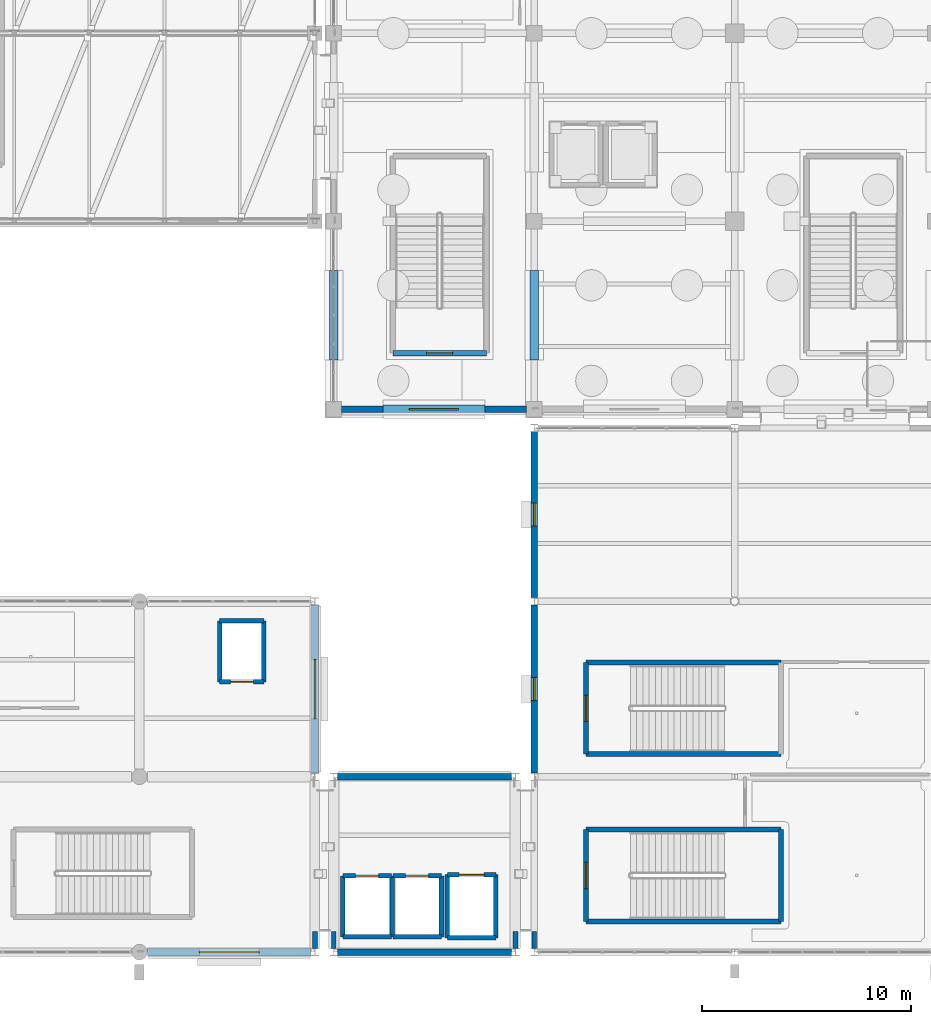
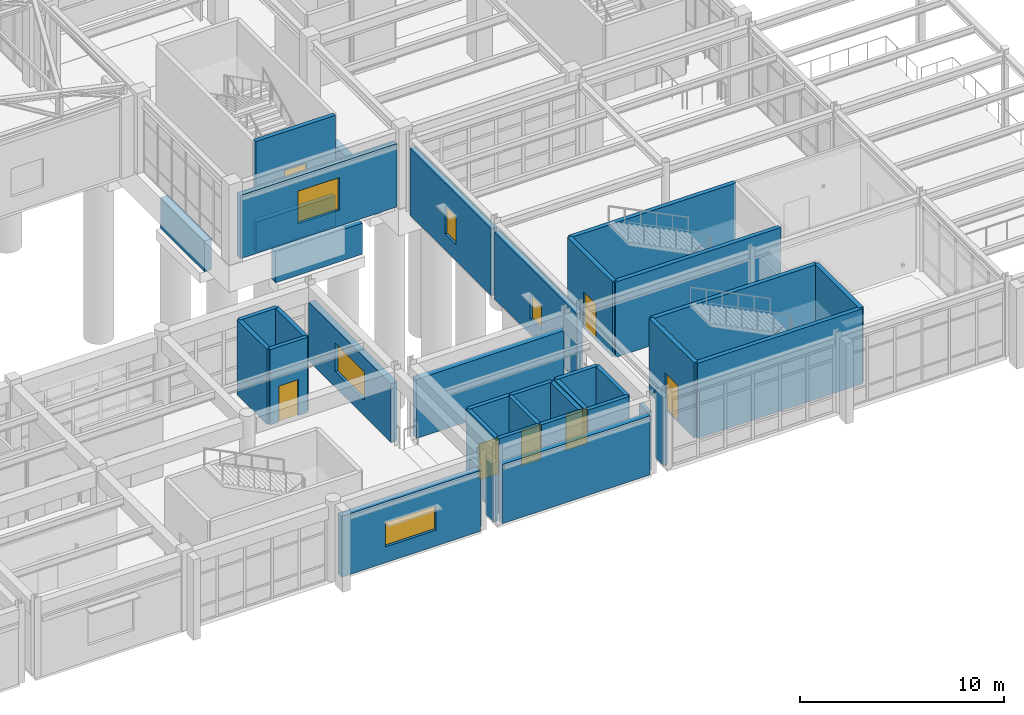
# One storey, part 111 of 139: 38 walls, 7 doors, 5 windows, 12 openings.
"""IFC4 building model written with IfcOpenShell, lengths in metres."""

import ifcopenshell
import ifcopenshell.guid

model = None  # the IFC model being written
_history = None  # IfcOwnerHistory: only IFC2X3 demands one
_inside = {}  # id of a spatial element -> (the spatial element, [elements in it])
_under = {}  # id of a project, library or spatial element -> (it, [spatial elements below it])
_declared = {}  # id of a project -> (the project, [libraries it declares])
_typed = {}  # id of a type object -> (the type object, [elements of that type])
_made_of = {}  # id of a material, layer set ... -> (it, [elements and type objects made of it])


def new_model(schema):
    """Start an empty IFC model of exactly this schema.

    Asked for "IFC4X3", IfcOpenShell would pick the latest addendum, in which some entities
    have other attributes; the version numbers below select the first issue.
    IFC2X3 requires an IfcOwnerHistory on every rooted entity: one is made here for all.
    """
    global model, _history
    if schema == "IFC4X3":
        model = ifcopenshell.file(schema_version=(4, 3, 0, 0))
    else:
        model = ifcopenshell.file(schema=schema)
    _inside.clear()
    _under.clear()
    _declared.clear()
    _typed.clear()
    _made_of.clear()
    _history = None
    if model.schema == "IFC2X3":
        org = make("IfcOrganization", Name="unknown")
        user = make(
            "IfcPersonAndOrganization",
            ThePerson=make("IfcPerson", FamilyName="unknown"),
            TheOrganization=org,
        )
        app = make(
            "IfcApplication",
            ApplicationDeveloper=org,
            Version="unknown",
            ApplicationFullName="unknown",
            ApplicationIdentifier="unknown",
        )
        _history = make(
            "IfcOwnerHistory",
            OwningUser=user,
            OwningApplication=app,
            ChangeAction="ADDED",
            CreationDate=0,
        )
    return model


def make(cls, **values):
    """One entity of the class cls with the attributes given. An attribute that is None is left unset."""
    return model.create_entity(
        cls, **{name: value for name, value in values.items() if value is not None}
    )


def rooted(cls, **values):
    """An entity with a GlobalId (a new one), such as an element, a storey or a relation."""
    return make(cls, GlobalId=ifcopenshell.guid.new(), OwnerHistory=_history, **values)


def si_unit(unit_type, name, prefix=None):
    """IfcSIUnit, for example si_unit("LENGTHUNIT", "METRE", prefix="MILLI")."""
    return make("IfcSIUnit", UnitType=unit_type, Prefix=prefix, Name=name)


def assignment(units):
    """IfcUnitAssignment: the units of a project."""
    return None if units is None else make("IfcUnitAssignment", Units=units)


def point(xyz):
    """IfcCartesianPoint."""
    return None if xyz is None else make("IfcCartesianPoint", Coordinates=xyz)


def direction(xyz):
    """IfcDirection."""
    return None if xyz is None else make("IfcDirection", DirectionRatios=xyz)


def frame(location, z_axis=None, x_axis=None):
    """IfcAxis2Placement3D, a coordinate frame: its origin and axes. An axis left out is left unset."""
    return make(
        "IfcAxis2Placement3D",
        Location=point(location),
        Axis=direction(z_axis),
        RefDirection=direction(x_axis),
    )


def frame_2d(location, x_axis=None):
    """IfcAxis2Placement2D, a coordinate frame in the plane: its origin and x axis."""
    return make(
        "IfcAxis2Placement2D", Location=point(location), RefDirection=direction(x_axis)
    )


def origin():
    """The frame at (0, 0, 0) with its axes left unset."""
    return frame((0.0, 0.0, 0.0))


def place(relative_to, where):
    """IfcLocalPlacement: puts the frame where relative to a parent placement (None: the world)."""
    return make(
        "IfcLocalPlacement", PlacementRelTo=relative_to, RelativePlacement=where
    )


def context(
    kind, dimensions, precision=None, world=None, true_north=None, identifier=None
):
    """IfcGeometricRepresentationContext, for example the 3D "Model" context."""
    return make(
        "IfcGeometricRepresentationContext",
        ContextIdentifier=identifier,
        ContextType=kind,
        CoordinateSpaceDimension=dimensions,
        Precision=precision,
        WorldCoordinateSystem=world,
        TrueNorth=true_north,
    )


def subcontext(parent, identifier, kind, view, scale=None):
    """IfcGeometricRepresentationSubContext, for example "Body" below "Model"."""
    return make(
        "IfcGeometricRepresentationSubContext",
        ContextIdentifier=identifier,
        ContextType=kind,
        ParentContext=parent,
        TargetScale=scale,
        TargetView=view,
    )


def project(units=None, contexts=None):
    """IfcProject with its units and contexts."""
    return rooted(
        "IfcProject",
        Name="project",
        RepresentationContexts=contexts,
        UnitsInContext=assignment(units),
    )


def spatial(cls, under=None, at=None, **own):
    """A site, building, storey or space (cls), placed at a placement, below another one or the project."""
    s = rooted(cls, ObjectPlacement=at, **own)
    if under is not None:
        _under.setdefault(under.id(), (under, []))[1].append(s)
    return s


def profile(cls, at=None, kind="AREA", **sizes):
    """A parametric profile (cls). Its sizes go by their IFC names, for example OverallWidth=200.0."""
    return make(cls, ProfileType=kind, Position=at, **sizes)


def rectangle(**sizes):
    """IfcRectangleProfileDef."""
    return profile("IfcRectangleProfileDef", **sizes)


def extrude(swept, where, along, depth):
    """IfcExtrudedAreaSolid: the profile swept, set in the frame where, extruded along a direction by depth."""
    return make(
        "IfcExtrudedAreaSolid",
        SweptArea=swept,
        Position=where,
        ExtrudedDirection=direction(along),
        Depth=depth,
    )


def shape(context_of_items, identifier, shape_type, items):
    """IfcShapeRepresentation: the items that make up one representation, for example the "Body"."""
    return make(
        "IfcShapeRepresentation",
        ContextOfItems=context_of_items,
        RepresentationIdentifier=identifier,
        RepresentationType=shape_type,
        Items=items,
    )


def material(Name=None, Category=None):
    """IfcMaterial."""
    return make("IfcMaterial", Name=Name, Category=Category)


def layer(
    of_material, thickness, ventilated=None, Name=None, Category=None, Priority=None
):
    """IfcMaterialLayer: one layer of a wall or slab, of a material (None: an air gap)."""
    return make(
        "IfcMaterialLayer",
        Material=of_material,
        LayerThickness=thickness,
        IsVentilated=ventilated,
        Name=Name,
        Category=Category,
        Priority=Priority,
    )


def layer_set(layers, Name=None):
    """IfcMaterialLayerSet."""
    return make("IfcMaterialLayerSet", MaterialLayers=layers, LayerSetName=Name)


def made_of(thing, what):
    """Note that an element or type object is made of a material, layer set ...; save() writes the relation."""
    if what is not None:
        _made_of.setdefault(what.id(), (what, []))[1].append(thing)
    return thing


def type_object(cls, material=None, **own):
    """A type object (cls), such as IfcWallType, which elements share."""
    return made_of(rooted(cls, **own), material)


def element(
    cls,
    number,
    at=None,
    inside=None,
    cuts=None,
    type_object=None,
    material=None,
    context=None,
    identifier="Body",
    shape_type=None,
    held_by="IfcProductDefinitionShape",
    body=None,
    shapes=None,
    **own,
):
    """One element of the class cls, such as IfcWall. Its Tag is "e" and its number.

    at: its placement. inside: the storey or other place that contains it. cuts: it is an
    opening in that element (IfcRelVoidsElement). A single representation is given by context,
    identifier, shape_type and body (its items); several are given by shapes. held_by: the class
    of the entity that holds the representations. save() writes the other relations.
    """
    e = rooted(cls, Tag="e%d" % number, ObjectPlacement=at, **own)
    if body is not None:
        shapes = [shape(context, identifier, shape_type, body)]
    if shapes is not None:
        e.Representation = make(held_by, Representations=shapes)
    if inside is not None:
        _inside.setdefault(inside.id(), (inside, []))[1].append(e)
    if cuts is not None:
        rooted(
            "IfcRelVoidsElement", RelatingBuildingElement=cuts, RelatedOpeningElement=e
        )
    if type_object is not None:
        _typed.setdefault(type_object.id(), (type_object, []))[1].append(e)
    return made_of(e, material)


def fill(opening, filler):
    """IfcRelFillsElement: the door or window that sits in an opening."""
    return rooted(
        "IfcRelFillsElement",
        RelatingOpeningElement=opening,
        RelatedBuildingElement=filler,
    )


def aggregate(whole, parts):
    """IfcRelAggregates: a whole, such as a stair, and the parts it consists of."""
    return rooted("IfcRelAggregates", RelatingObject=whole, RelatedObjects=parts)


def save(model, path):
    """Write the relations noted so far, then the file.

    IfcRelAggregates (storeys below a building ...), IfcRelContainedInSpatialStructure (elements
    in a storey), IfcRelDefinesByType, IfcRelAssociatesMaterial and IfcRelDeclares: one each for
    every whole, place, type object, material and project.
    """
    for whole, parts in _under.values():
        aggregate(whole, parts)
    for where, things in _inside.values():
        rooted(
            "IfcRelContainedInSpatialStructure",
            RelatedElements=things,
            RelatingStructure=where,
        )
    for kind, things in _typed.values():
        rooted("IfcRelDefinesByType", RelatedObjects=things, RelatingType=kind)
    for what, things in _made_of.values():
        rooted("IfcRelAssociatesMaterial", RelatedObjects=things, RelatingMaterial=what)
    for by, libraries in _declared.values():
        rooted("IfcRelDeclares", RelatingContext=by, RelatedDefinitions=libraries)
    model.write(path)


model = new_model("IFC4")

# Units and contexts
model_context = context("Model", 3, precision=1e-05, world=origin(), true_north=direction((0.0, 1.0)))
body_context = subcontext(model_context, "Body", "Model", "MODEL_VIEW")
ifc_project = project(units=[si_unit("LENGTHUNIT", "METRE"), si_unit("AREAUNIT", "SQUARE_METRE"), si_unit("VOLUMEUNIT", "CUBIC_METRE"), si_unit("PLANEANGLEUNIT", "RADIAN"), si_unit("MASSUNIT", "GRAM", prefix="KILO")], contexts=[model_context])

# Site, building, storey
site_placement = place(None, origin())
site = spatial("IfcSite", under=ifc_project, at=site_placement, CompositionType="ELEMENT")
building_placement = place(site_placement, origin())
building = spatial("IfcBuilding", under=site, at=building_placement, Name="Canglan Escarpment Cableway Terminal", CompositionType="ELEMENT")
storey_placement = place(building_placement, frame((0.0, 0.0, 14.39990234375)))
storey = spatial("IfcBuildingStorey", under=building, at=storey_placement, Name="L03", CompositionType="ELEMENT", Elevation=14.39990234375)

# Walls
ifc_material_1 = material(Name="Concrete C40", Category="concrete")
ifc_layer_1 = layer(ifc_material_1, 0.39990234375, Name="Concrete C40")
ifc_layer_set_1 = layer_set([ifc_layer_1], Name="Concrete C40")
wall_type_1 = type_object("IfcWallType", Name="WL-BENCH-SOLID-400", PredefinedType="SOLIDWALL", material=ifc_layer_set_1)
wall_1_placement = place(storey_placement, frame((139.949951171875, 34.0, -2.099853515625), z_axis=(0.0, 0.0, 1.0), x_axis=(1.0, 0.0, 0.0)))
element("IfcWall", 1, at=wall_1_placement, inside=storey, type_object=wall_type_1, Name="Hillside bench foundation wall BWALL-X-FB9-1-1", PredefinedType="SOLIDWALL", context=body_context, shape_type="SweptSolid", body=[
    extrude(rectangle(XDim=4.900146484375, YDim=0.39990234375, at=frame_2d((2.4501953125, 0.0))), origin(), (0.0, 0.0, 1.0), 1.849853515625),
])
for number, where, z_axis, x_axis, name in (
    (2, (137.60009765625, 36.35009765625, -2.099853515625), (0.0, 0.0, 1.0), (0.0, 1.0, 0.0), "Hillside bench transverse foundation wall BWALL-Y-FB9-1-1"),
    (3, (147.199951171875, 36.35009765625, -2.099853515625), (0.0, 0.0, 1.0), (0.0, 1.0, 0.0), "Hillside bench transverse foundation wall BWALL-Y-FB9-2-1"),
):
    element("IfcWall", number, at=place(storey_placement, frame(where, z_axis=z_axis, x_axis=x_axis)), inside=storey, type_object=wall_type_1, Name=name, PredefinedType="SOLIDWALL", context=body_context, shape_type="SweptSolid", body=[
        extrude(rectangle(XDim=4.2998046875, YDim=0.39990234375, at=frame_2d((2.14990234375, 0.0))), origin(), (0.0, 0.0, 1.0), 1.849853515625),
    ])
wall_2_placement = place(storey_placement, frame((140.429931640625, 36.679931640625, -2.099853515625), z_axis=(0.0, 0.0, 1.0), x_axis=(1.0, 0.0, 0.0)))
element("IfcWall", 4, at=wall_2_placement, inside=storey, type_object=wall_type_1, Name="Stair core foundation wall ST-13", PredefinedType="SOLIDWALL", context=body_context, shape_type="SweptSolid", body=[
    extrude(rectangle(XDim=4.489990234375, YDim=0.280029296875, at=frame_2d((2.2451171875, 0.0))), origin(), (0.0, 0.0, 1.0), 1.800048828125),
])
ifc_layer_2 = layer(ifc_material_1, 0.239990234375, Name="Concrete C40")
ifc_layer_set_2 = layer_set([ifc_layer_2], Name="Concrete C40")
wall_type_2 = type_object("IfcWallType", Name="WL-CORE-SHEAR-240", PredefinedType="SHEAR", material=ifc_layer_set_2)
wall_3_placement = place(storey_placement, frame((149.679931640625, 9.47998046875, 0.0), z_axis=(0.0, 0.0, 1.0), x_axis=(1.0, 0.0, 0.0)))
element("IfcWall", 5, at=wall_3_placement, inside=storey, type_object=wall_type_2, Name="Protected stair core wall ST-08 (L03)", PredefinedType="SHEAR", context=body_context, shape_type="SweptSolid", body=[
    extrude(rectangle(XDim=9.340087890625, YDim=0.239990234375, at=frame_2d((4.669921875, 0.0))), origin(), (0.0, 0.0, 1.0), 4.5),
])
wall_4_placement = place(storey_placement, frame((159.02001953125, 9.47998046875, 0.0), z_axis=(0.0, 0.0, 1.0), x_axis=(0.0, 1.0, 0.0)))
element("IfcWall", 6, at=wall_4_placement, inside=storey, type_object=wall_type_2, Name="Protected stair core wall ST-08 (L03)", PredefinedType="SHEAR", context=body_context, shape_type="SweptSolid", body=[
    extrude(rectangle(XDim=4.39013671875, YDim=0.239990234375, at=frame_2d((2.195068359375, 0.0))), origin(), (0.0, 0.0, 1.0), 4.5),
])
wall_5_placement = place(storey_placement, frame((159.02001953125, 13.8701171875, 0.0), z_axis=(0.0, 0.0, 1.0), x_axis=(-1.0, 0.0, 0.0)))
element("IfcWall", 7, at=wall_5_placement, inside=storey, type_object=wall_type_2, Name="Protected stair core wall ST-08 (L03)", PredefinedType="SHEAR", context=body_context, shape_type="SweptSolid", body=[
    extrude(rectangle(XDim=9.340087890625, YDim=0.239990234375, at=frame_2d((4.669921875, 0.0))), origin(), (0.0, 0.0, 1.0), 4.5),
])

# Wall, opening, door
wall_6_placement = place(storey_placement, frame((149.679931640625, 13.8701171875, 0.0), z_axis=(0.0, 0.0, 1.0), x_axis=(0.0, -1.0, 0.0)))
wall_6 = element("IfcWall", 8, at=wall_6_placement, inside=storey, type_object=wall_type_2, Name="Protected stair core wall ST-08 (L03)", PredefinedType="SHEAR", context=body_context, shape_type="SweptSolid", body=[
    extrude(rectangle(XDim=4.39013671875, YDim=0.239990234375, at=frame_2d((2.195068359375, 0.0))), origin(), (0.0, 0.0, 1.0), 4.5),
])
opening_1_placement = place(wall_6_placement, frame((1.570068359375, 0.0, 0.0)))
opening_1 = element("IfcOpeningElement", 9, at=opening_1_placement, cuts=wall_6, Name="Opening SD-D1", PredefinedType="OPENING", context=body_context, shape_type="SweptSolid", body=[
    extrude(rectangle(XDim=1.25, YDim=2.199951171875, at=frame_2d((0.625, 1.10009765625))), frame((0.0, 0.1298828125, 0.0), z_axis=(0.0, -1.0, 0.0), x_axis=(1.0, 0.0, 0.0)), (0.0, 0.0, 1.0), 0.260009765625),
])
ifc_material_2 = material(Name="Steel fire-resisting stair door", Category="steel")
door_type_1 = type_object("IfcDoorType", Name="DR-STAIR-EI90-1250", OperationType="NOTDEFINED", PredefinedType="DOOR", material=ifc_material_2)
door_1_placement = place(opening_1_placement, origin())
door_1 = element("IfcDoor", 10, at=door_1_placement, inside=storey, type_object=door_type_1, Name="Protected exit stair fire door ST-08 (L03)", OperationType="SINGLE_SWING_RIGHT", OverallHeight=2.199951171875, OverallWidth=1.25, PredefinedType="DOOR", context=body_context, shape_type="SweptSolid", body=[
    extrude(rectangle(XDim=1.25, YDim=2.199951171875, at=frame_2d((0.625, 1.10009765625))), frame((0.0, 0.02490234375, 0.0), z_axis=(0.0, -1.0, 0.0), x_axis=(1.0, 0.0, 0.0)), (0.0, 0.0, 1.0), 0.050048828125),
])
fill(opening_1, door_1)

# Walls
for number, where, z_axis, x_axis, name in (
    (11, (149.679931640625, 17.47998046875, 0.0), (0.0, 0.0, 1.0), (1.0, 0.0, 0.0), "Protected stair core wall ST-09 (L03)"),
    (12, (159.02001953125, 21.8701171875, 0.0), (0.0, 0.0, 1.0), (-1.0, 0.0, 0.0), "Protected stair core wall ST-09 (L03)"),
):
    element("IfcWall", number, at=place(storey_placement, frame(where, z_axis=z_axis, x_axis=x_axis)), inside=storey, type_object=wall_type_2, Name=name, PredefinedType="SHEAR", context=body_context, shape_type="SweptSolid", body=[
        extrude(rectangle(XDim=9.340087890625, YDim=0.239990234375, at=frame_2d((4.669921875, 0.0))), origin(), (0.0, 0.0, 1.0), 4.5),
    ])

# Wall, opening, door
wall_7_placement = place(storey_placement, frame((149.679931640625, 21.8701171875, 0.0), z_axis=(0.0, 0.0, 1.0), x_axis=(0.0, -1.0, 0.0)))
wall_7 = element("IfcWall", 13, at=wall_7_placement, inside=storey, type_object=wall_type_2, Name="Protected stair core wall ST-09 (L03)", PredefinedType="SHEAR", context=body_context, shape_type="SweptSolid", body=[
    extrude(rectangle(XDim=4.39013671875, YDim=0.239990234375, at=frame_2d((2.195068359375, 0.0))), origin(), (0.0, 0.0, 1.0), 4.5),
])
opening_2_placement = place(wall_7_placement, frame((1.570068359375, 0.0, 0.0)))
opening_2 = element("IfcOpeningElement", 14, at=opening_2_placement, cuts=wall_7, Name="Opening SD-D1", PredefinedType="OPENING", context=body_context, shape_type="SweptSolid", body=[
    extrude(rectangle(XDim=1.25, YDim=2.199951171875, at=frame_2d((0.625, 1.10009765625))), frame((0.0, 0.1298828125, 0.0), z_axis=(0.0, -1.0, 0.0), x_axis=(1.0, 0.0, 0.0)), (0.0, 0.0, 1.0), 0.260009765625),
])
door_2_placement = place(opening_2_placement, origin())
door_2 = element("IfcDoor", 15, at=door_2_placement, inside=storey, type_object=door_type_1, Name="Protected exit stair fire door ST-09 (L03)", OperationType="SINGLE_SWING_LEFT", OverallHeight=2.199951171875, OverallWidth=1.25, PredefinedType="DOOR", context=body_context, shape_type="SweptSolid", body=[
    extrude(rectangle(XDim=1.25, YDim=2.199951171875, at=frame_2d((0.625, 1.10009765625))), frame((0.0, 0.02490234375, 0.0), z_axis=(0.0, -1.0, 0.0), x_axis=(1.0, 0.0, 0.0)), (0.0, 0.0, 1.0), 0.050048828125),
])
fill(opening_2, door_2)

wall_8_placement = place(storey_placement, frame((140.429931640625, 36.679931640625, 0.0), z_axis=(0.0, 0.0, 1.0), x_axis=(1.0, 0.0, 0.0)))
wall_8 = element("IfcWall", 16, at=wall_8_placement, inside=storey, type_object=wall_type_2, Name="Protected stair core wall ST-13 (L03)", PredefinedType="SHEAR", context=body_context, shape_type="SweptSolid", body=[
    extrude(rectangle(XDim=4.489990234375, YDim=0.239990234375, at=frame_2d((2.2451171875, 0.0))), origin(), (0.0, 0.0, 1.0), 4.5),
])
opening_3_placement = place(wall_8_placement, frame((1.6201171875, 0.0, 0.0)))
opening_3 = element("IfcOpeningElement", 17, at=opening_3_placement, cuts=wall_8, Name="Opening SD-D1", PredefinedType="OPENING", context=body_context, shape_type="SweptSolid", body=[
    extrude(rectangle(XDim=1.25, YDim=2.199951171875, at=frame_2d((0.625, 1.10009765625))), frame((0.0, 0.1298828125, 0.0), z_axis=(0.0, -1.0, 0.0), x_axis=(1.0, 0.0, 0.0)), (0.0, 0.0, 1.0), 0.260009765625),
])
door_3_placement = place(opening_3_placement, origin())
door_3 = element("IfcDoor", 18, at=door_3_placement, inside=storey, type_object=door_type_1, Name="Protected exit stair fire door ST-13 (L03)", OperationType="SINGLE_SWING_RIGHT", OverallHeight=2.199951171875, OverallWidth=1.25, PredefinedType="DOOR", context=body_context, shape_type="SweptSolid", body=[
    extrude(rectangle(XDim=1.25, YDim=2.199951171875, at=frame_2d((0.625, 1.10009765625))), frame((0.0, 0.02490234375, 0.0), z_axis=(0.0, -1.0, 0.0), x_axis=(1.0, 0.0, 0.0)), (0.0, 0.0, 1.0), 0.050048828125),
])
fill(opening_3, door_3)

# Walls
ifc_material_3 = material(Name="Dressed ashlar limestone on Concrete C40", Category="masonry")
ifc_layer_3 = layer(ifc_material_3, 0.320068359375, Name="Dressed ashlar limestone on Concrete C40")
ifc_layer_set_3 = layer_set([ifc_layer_3], Name="Dressed ashlar limestone on Concrete C40")
wall_type_3 = type_object("IfcWallType", Name="WL-EXT-ASHLAR-320", PredefinedType="STANDARD", material=ifc_layer_set_3)
for number, where, z_axis, x_axis, name in (
    (19, (137.77490234375, 8.0, 0.0), (0.0, 0.0, 1.0), (1.0, 0.0, 0.0), "Classical stone-faced exterior wall EW-FB5A-L03-S-01"),
    (20, (146.125, 16.39990234375, 0.0), (0.0, 0.0, 1.0), (-1.0, 0.0, 0.0), "Classical stone-faced exterior wall EW-FB5A-L03-N-01"),
):
    element("IfcWall", number, at=place(storey_placement, frame(where, z_axis=z_axis, x_axis=x_axis)), inside=storey, type_object=wall_type_3, Name=name, PredefinedType="STANDARD", context=body_context, shape_type="SweptSolid", body=[
        extrude(rectangle(XDim=8.35009765625, YDim=0.320068359375, at=frame_2d((4.175048828125, 0.0))), origin(), (0.0, 0.0, 1.0), 3.53515625),
    ])

# Wall, opening, window
wall_9_placement = place(storey_placement, frame((147.199951171875, 24.625, 0.0), z_axis=(0.0, 0.0, 1.0), x_axis=(0.0, -1.0, 0.0)))
wall_9 = element("IfcWall", 21, at=wall_9_placement, inside=storey, type_object=wall_type_3, Name="Classical stone-faced exterior wall EW-FB5-L03-W-02", PredefinedType="STANDARD", context=body_context, shape_type="SweptSolid", body=[
    extrude(rectangle(XDim=8.050048828125, YDim=0.320068359375, at=frame_2d((4.02490234375, 0.0))), origin(), (0.0, 0.0, 1.0), 3.9970703125),
])
opening_4_placement = place(wall_9_placement, frame((3.47509765625, 0.0, 0.949951171875)))
opening_4 = element("IfcOpeningElement", 22, at=opening_4_placement, cuts=wall_9, Name="Opening W-01", PredefinedType="OPENING", context=body_context, shape_type="SweptSolid", body=[
    extrude(rectangle(XDim=1.10009765625, YDim=1.449951171875, at=frame_2d((0.550048828125, 0.72509765625))), frame((0.0, 0.169921875, 0.0), z_axis=(0.0, -1.0, 0.0), x_axis=(1.0, 0.0, 0.0)), (0.0, 0.0, 1.0), 0.340087890625),
])
ifc_material_4 = material(Name="Anodized bronze aluminium and Low-E double glazing", Category="aluminium")
window_type_1 = type_object("IfcWindowType", Name="WIN-EXT-01", PartitioningType="SINGLE_PANEL", PredefinedType="WINDOW", material=ifc_material_4)
window_1_placement = place(opening_4_placement, origin())
window_1 = element("IfcWindow", 23, at=window_1_placement, inside=storey, type_object=window_type_1, Name="Classical module window W-01", OverallHeight=1.449951171875, OverallWidth=1.10009765625, PartitioningType="SINGLE_PANEL", PredefinedType="WINDOW", context=body_context, shape_type="SweptSolid", body=[
    extrude(rectangle(XDim=1.10009765625, YDim=1.449951171875, at=frame_2d((0.550048828125, 0.72509765625))), frame((0.0, 0.030029296875, 0.0), z_axis=(0.0, -1.0, 0.0), x_axis=(1.0, 0.0, 0.0)), (0.0, 0.0, 1.0), 0.06005859375),
])
fill(opening_4, window_1)

wall_10_placement = place(storey_placement, frame((147.199951171875, 32.925048828125, 0.0), z_axis=(0.0, 0.0, 1.0), x_axis=(0.0, -1.0, 0.0)))
wall_10 = element("IfcWall", 24, at=wall_10_placement, inside=storey, type_object=wall_type_3, Name="Classical stone-faced exterior wall EW-FB5-L03-W-03", PredefinedType="STANDARD", context=body_context, shape_type="SweptSolid", body=[
    extrude(rectangle(XDim=7.949951171875, YDim=0.320068359375, at=frame_2d((3.97509765625, 0.0))), origin(), (0.0, 0.0, 1.0), 3.9970703125),
])
opening_5_placement = place(wall_10_placement, frame((3.425048828125, 0.0, 0.949951171875)))
opening_5 = element("IfcOpeningElement", 25, at=opening_5_placement, cuts=wall_10, Name="Opening W-02", PredefinedType="OPENING", context=body_context, shape_type="SweptSolid", body=[
    extrude(rectangle(XDim=1.10009765625, YDim=1.699951171875, at=frame_2d((0.550048828125, 0.85009765625))), frame((0.0, 0.169921875, 0.0), z_axis=(0.0, -1.0, 0.0), x_axis=(1.0, 0.0, 0.0)), (0.0, 0.0, 1.0), 0.340087890625),
])
window_type_2 = type_object("IfcWindowType", Name="WIN-EXT-02", PartitioningType="SINGLE_PANEL", PredefinedType="WINDOW", material=ifc_material_4)
window_2_placement = place(opening_5_placement, origin())
window_2 = element("IfcWindow", 26, at=window_2_placement, inside=storey, type_object=window_type_2, Name="Classical module window W-02", OverallHeight=1.699951171875, OverallWidth=1.10009765625, PartitioningType="SINGLE_PANEL", PredefinedType="WINDOW", context=body_context, shape_type="SweptSolid", body=[
    extrude(rectangle(XDim=1.10009765625, YDim=1.699951171875, at=frame_2d((0.550048828125, 0.85009765625))), frame((0.0, 0.030029296875, 0.0), z_axis=(0.0, -1.0, 0.0), x_axis=(1.0, 0.0, 0.0)), (0.0, 0.0, 1.0), 0.06005859375),
])
fill(opening_5, window_2)

wall_11_placement = place(storey_placement, frame((137.97509765625, 34.0, 0.0), z_axis=(0.0, 0.0, 1.0), x_axis=(1.0, 0.0, 0.0)))
wall_11 = element("IfcWall", 27, at=wall_11_placement, inside=storey, type_object=wall_type_3, Name="Classical stone-faced exterior wall EW-FB9-L03-S-01", PredefinedType="STANDARD", context=body_context, shape_type="SweptSolid", body=[
    extrude(rectangle(XDim=8.849853515625, YDim=0.320068359375, at=frame_2d((4.4248046875, 0.0))), origin(), (0.0, 0.0, 1.0), 3.78515625),
])
opening_6_placement = place(wall_11_placement, frame((3.25, 0.0, 0.949951171875)))
opening_6 = element("IfcOpeningElement", 28, at=opening_6_placement, cuts=wall_11, Name="Opening W-23", PredefinedType="OPENING", context=body_context, shape_type="SweptSolid", body=[
    extrude(rectangle(XDim=2.35009765625, YDim=1.949951171875, at=frame_2d((1.175048828125, 0.97509765625))), frame((0.0, 0.169921875, 0.0), z_axis=(0.0, -1.0, 0.0), x_axis=(1.0, 0.0, 0.0)), (0.0, 0.0, 1.0), 0.340087890625),
])
window_type_3 = type_object("IfcWindowType", Name="WIN-EXT-23", PartitioningType="DOUBLE_PANEL_VERTICAL", PredefinedType="WINDOW", material=ifc_material_4)
window_3_placement = place(opening_6_placement, origin())
window_3 = element("IfcWindow", 29, at=window_3_placement, inside=storey, type_object=window_type_3, Name="Classical module window W-23", OverallHeight=1.949951171875, OverallWidth=2.35009765625, PartitioningType="SINGLE_PANEL", PredefinedType="WINDOW", context=body_context, shape_type="SweptSolid", body=[
    extrude(rectangle(XDim=2.35009765625, YDim=1.949951171875, at=frame_2d((1.175048828125, 0.97509765625))), frame((0.0, 0.030029296875, 0.0), z_axis=(0.0, -1.0, 0.0), x_axis=(1.0, 0.0, 0.0)), (0.0, 0.0, 1.0), 0.06005859375),
])
fill(opening_6, window_3)

# Walls
ifc_material_5 = material(Name="Insulated stone-faced spandrel wall", Category="masonry")
ifc_layer_4 = layer(ifc_material_5, 0.22998046875, Name="Insulated stone-faced spandrel wall")
ifc_layer_set_4 = layer_set([ifc_layer_4], Name="Insulated stone-faced spandrel wall")
wall_type_4 = type_object("IfcWallType", Name="WL-EXT-LINK-230", PredefinedType="STANDARD", material=ifc_layer_set_4)
wall_12_placement = place(storey_placement, frame((136.699951171875, 8.175048828125, 0.0), z_axis=(0.0, 0.0, 1.0), x_axis=(0.0, 1.0, 0.0)))
element("IfcWall", 30, at=wall_12_placement, inside=storey, type_object=wall_type_4, Name="Classical stone-faced exterior wall EW-FB4-L03-E-01-FL1", PredefinedType="STANDARD", context=body_context, shape_type="SweptSolid", body=[
    extrude(rectangle(XDim=0.824951171875, YDim=0.22998046875, at=frame_2d((0.41259765625, 0.0))), origin(), (0.0, 0.0, 1.0), 3.635009765625),
])
for number, where, z_axis, x_axis, name in (
    (31, (146.300048828125, 8.175048828125, 0.0), (0.0, 0.0, 1.0), (0.0, 1.0, 0.0), "Classical stone-faced exterior wall EW-FB5A-L03-E-01-FL1"),
    (32, (137.60009765625, 8.175048828125, 0.0), (0.0, 0.0, 1.0), (0.0, 1.0, 0.0), "Classical stone-faced exterior wall EW-FB5A-L03-W-01-FL1"),
):
    element("IfcWall", number, at=place(storey_placement, frame(where, z_axis=z_axis, x_axis=x_axis)), inside=storey, type_object=wall_type_4, Name=name, PredefinedType="STANDARD", context=body_context, shape_type="SweptSolid", body=[
        extrude(rectangle(XDim=0.824951171875, YDim=0.22998046875, at=frame_2d((0.41259765625, 0.0))), origin(), (0.0, 0.0, 1.0), 3.53515625),
    ])
wall_13_placement = place(storey_placement, frame((147.199951171875, 8.175048828125, 0.0), z_axis=(0.0, 0.0, 1.0), x_axis=(0.0, 1.0, 0.0)))
element("IfcWall", 33, at=wall_13_placement, inside=storey, type_object=wall_type_4, Name="Classical stone-faced exterior wall EW-FB5-L03-W-01-FL1", PredefinedType="STANDARD", context=body_context, shape_type="SweptSolid", body=[
    extrude(rectangle(XDim=0.824951171875, YDim=0.22998046875, at=frame_2d((0.41259765625, 0.0))), origin(), (0.0, 0.0, 1.0), 4.09521484375),
])

# Wall, opening, window
ifc_material_6 = material(Name="Rusticated limestone masonry on Concrete C40", Category="masonry")
ifc_layer_5 = layer(ifc_material_6, 0.360107421875, Name="Rusticated limestone masonry on Concrete C40")
ifc_layer_set_5 = layer_set([ifc_layer_5], Name="Rusticated limestone masonry on Concrete C40")
wall_type_5 = type_object("IfcWallType", Name="WL-EXT-RUST-360", PredefinedType="STANDARD", material=ifc_layer_set_5)
wall_14_placement = place(storey_placement, frame((128.675048828125, 8.0, 0.0), z_axis=(0.0, 0.0, 1.0), x_axis=(1.0, 0.0, 0.0)))
wall_14 = element("IfcWall", 34, at=wall_14_placement, inside=storey, type_object=wall_type_5, Name="Classical stone-faced exterior wall EW-FB4-L03-S-03", PredefinedType="STANDARD", context=body_context, shape_type="SweptSolid", body=[
    extrude(rectangle(XDim=7.849853515625, YDim=0.360107421875, at=frame_2d((3.9248046875, 0.0))), origin(), (0.0, 0.0, 1.0), 3.635009765625),
])
opening_7_placement = place(wall_14_placement, frame((2.5, 0.0, 0.949951171875)))
opening_7 = element("IfcOpeningElement", 35, at=opening_7_placement, cuts=wall_14, Name="Opening W-29", PredefinedType="OPENING", context=body_context, shape_type="SweptSolid", body=[
    extrude(rectangle(XDim=2.85009765625, YDim=1.449951171875, at=frame_2d((1.425048828125, 0.72509765625))), frame((0.0, 0.18994140625, 0.0), z_axis=(0.0, -1.0, 0.0), x_axis=(1.0, 0.0, 0.0)), (0.0, 0.0, 1.0), 0.380126953125),
])
window_type_4 = type_object("IfcWindowType", Name="WIN-EXT-29", PartitioningType="DOUBLE_PANEL_VERTICAL", PredefinedType="WINDOW", material=ifc_material_4)
window_4_placement = place(opening_7_placement, origin())
window_4 = element("IfcWindow", 36, at=window_4_placement, inside=storey, type_object=window_type_4, Name="Classical module window W-29", OverallHeight=1.449951171875, OverallWidth=2.85009765625, PartitioningType="SINGLE_PANEL", PredefinedType="WINDOW", context=body_context, shape_type="SweptSolid", body=[
    extrude(rectangle(XDim=2.85009765625, YDim=1.449951171875, at=frame_2d((1.425048828125, 0.72509765625))), frame((0.0, 0.030029296875, 0.0), z_axis=(0.0, -1.0, 0.0), x_axis=(1.0, 0.0, 0.0)), (0.0, 0.0, 1.0), 0.06005859375),
])
fill(opening_7, window_4)

wall_15_placement = place(storey_placement, frame((136.699951171875, 16.574951171875, 0.0), z_axis=(0.0, 0.0, 1.0), x_axis=(0.0, 1.0, 0.0)))
wall_15 = element("IfcWall", 37, at=wall_15_placement, inside=storey, type_object=wall_type_5, Name="Classical stone-faced exterior wall EW-FB4-L03-E-02", PredefinedType="STANDARD", context=body_context, shape_type="SweptSolid", body=[
    extrude(rectangle(XDim=8.050048828125, YDim=0.360107421875, at=frame_2d((4.02490234375, 0.0))), origin(), (0.0, 0.0, 1.0), 3.51513671875),
])
opening_8_placement = place(wall_15_placement, frame((2.60009765625, 0.0, 0.949951171875)))
opening_8 = element("IfcOpeningElement", 38, at=opening_8_placement, cuts=wall_15, Name="Opening W-30", PredefinedType="OPENING", context=body_context, shape_type="SweptSolid", body=[
    extrude(rectangle(XDim=2.85009765625, YDim=1.699951171875, at=frame_2d((1.425048828125, 0.85009765625))), frame((0.0, 0.18994140625, 0.0), z_axis=(0.0, -1.0, 0.0), x_axis=(1.0, 0.0, 0.0)), (0.0, 0.0, 1.0), 0.380126953125),
])
window_type_5 = type_object("IfcWindowType", Name="WIN-EXT-30", PartitioningType="DOUBLE_PANEL_VERTICAL", PredefinedType="WINDOW", material=ifc_material_4)
window_5_placement = place(opening_8_placement, origin())
window_5 = element("IfcWindow", 39, at=window_5_placement, inside=storey, type_object=window_type_5, Name="Classical module window W-30", OverallHeight=1.699951171875, OverallWidth=2.85009765625, PartitioningType="SINGLE_PANEL", PredefinedType="WINDOW", context=body_context, shape_type="SweptSolid", body=[
    extrude(rectangle(XDim=2.85009765625, YDim=1.699951171875, at=frame_2d((1.425048828125, 0.85009765625))), frame((0.0, 0.030029296875, 0.0), z_axis=(0.0, -1.0, 0.0), x_axis=(1.0, 0.0, 0.0)), (0.0, 0.0, 1.0), 0.06005859375),
])
fill(opening_8, window_5)

# Walls
ifc_layer_6 = layer(ifc_material_1, 0.219970703125, Name="Concrete C40")
ifc_layer_set_6 = layer_set([ifc_layer_6], Name="Concrete C40")
wall_type_6 = type_object("IfcWallType", Name="WL-SHAFT-SHEAR-220", PredefinedType="SHEAR", material=ifc_layer_set_6)
wall_16_placement = place(storey_placement, frame((138.0400390625, 8.739990234375, 0.0), z_axis=(0.0, 0.0, 1.0), x_axis=(1.0, 0.0, 0.0)))
element("IfcWall", 40, at=wall_16_placement, inside=storey, type_object=wall_type_6, Name="Elevator core shaft wall LF-01 (L03)", PredefinedType="SHEAR", context=body_context, shape_type="SweptSolid", body=[
    extrude(rectangle(XDim=2.320068359375, YDim=0.219970703125, at=frame_2d((1.16015625, 0.0))), origin(), (0.0, 0.0, 1.0), 4.5),
])
wall_17_placement = place(storey_placement, frame((140.39990234375, 8.739990234375, 0.0), z_axis=(0.0, 0.0, 1.0), x_axis=(0.0, 1.0, 0.0)))
element("IfcWall", 41, at=wall_17_placement, inside=storey, type_object=wall_type_6, Name="Elevator core shaft wall LF-01 (L03)", PredefinedType="SHEAR", context=body_context, shape_type="SweptSolid", body=[
    extrude(rectangle(XDim=2.919921875, YDim=0.219970703125, at=frame_2d((1.4599609375, 0.0))), origin(), (0.0, 0.0, 1.0), 4.5),
])

# Wall, opening, door
wall_18_placement = place(storey_placement, frame((140.360107421875, 11.659912109375, 0.0), z_axis=(0.0, 0.0, 1.0), x_axis=(-1.0, 0.0, 0.0)))
wall_18 = element("IfcWall", 42, at=wall_18_placement, inside=storey, type_object=wall_type_6, Name="Elevator core shaft wall LF-01 (L03)", PredefinedType="SHEAR", context=body_context, shape_type="SweptSolid", body=[
    extrude(rectangle(XDim=2.320068359375, YDim=0.219970703125, at=frame_2d((1.16015625, 0.0))), origin(), (0.0, 0.0, 1.0), 4.5),
])
opening_9_placement = place(wall_18_placement, frame((0.610107421875, 0.0, 0.0)))
opening_9 = element("IfcOpeningElement", 43, at=opening_9_placement, cuts=wall_18, Name="Opening LD-01", PredefinedType="OPENING", context=body_context, shape_type="SweptSolid", body=[
    extrude(rectangle(XDim=1.10009765625, YDim=2.14990234375, at=frame_2d((0.550048828125, 1.074951171875))), frame((0.0, 0.1201171875, 0.0), z_axis=(0.0, -1.0, 0.0), x_axis=(1.0, 0.0, 0.0)), (0.0, 0.0, 1.0), 0.239990234375),
])
ifc_material_7 = material(Name="Brushed stainless steel lift landing door", Category="steel")
door_type_2 = type_object("IfcDoorType", Name="DR-LIFT-SLIDE-1100", OperationType="DOUBLE_DOOR_SLIDING", PredefinedType="DOOR", material=ifc_material_7)
door_4_placement = place(opening_9_placement, origin())
door_4 = element("IfcDoor", 44, at=door_4_placement, inside=storey, type_object=door_type_2, Name="Elevator sliding landing door LF-01 (L03)", OperationType="DOUBLE_DOOR_SLIDING", OverallHeight=2.14990234375, OverallWidth=1.10009765625, PredefinedType="DOOR", context=body_context, shape_type="SweptSolid", body=[
    extrude(rectangle(XDim=1.10009765625, YDim=2.14990234375, at=frame_2d((0.550048828125, 1.074951171875))), frame((0.0, 0.02490234375, 0.0), z_axis=(0.0, -1.0, 0.0), x_axis=(1.0, 0.0, 0.0)), (0.0, 0.0, 1.0), 0.050048828125),
])
fill(opening_9, door_4)

# Walls
wall_19_placement = place(storey_placement, frame((138.0400390625, 11.659912109375, 0.0), z_axis=(0.0, 0.0, 1.0), x_axis=(0.0, -1.0, 0.0)))
element("IfcWall", 45, at=wall_19_placement, inside=storey, type_object=wall_type_6, Name="Elevator core shaft wall LF-01 (L03)", PredefinedType="SHEAR", context=body_context, shape_type="SweptSolid", body=[
    extrude(rectangle(XDim=2.919921875, YDim=0.219970703125, at=frame_2d((1.4599609375, 0.0))), origin(), (0.0, 0.0, 1.0), 4.5),
])
wall_20_placement = place(storey_placement, frame((140.43994140625, 8.739990234375, 0.0), z_axis=(0.0, 0.0, 1.0), x_axis=(1.0, 0.0, 0.0)))
element("IfcWall", 46, at=wall_20_placement, inside=storey, type_object=wall_type_6, Name="Elevator core shaft wall LF-02 (L03)", PredefinedType="SHEAR", context=body_context, shape_type="SweptSolid", body=[
    extrude(rectangle(XDim=2.320068359375, YDim=0.219970703125, at=frame_2d((1.16015625, 0.0))), origin(), (0.0, 0.0, 1.0), 4.5),
])
wall_21_placement = place(storey_placement, frame((142.760009765625, 8.739990234375, 0.0), z_axis=(0.0, 0.0, 1.0), x_axis=(0.0, 1.0, 0.0)))
element("IfcWall", 47, at=wall_21_placement, inside=storey, type_object=wall_type_6, Name="Elevator core shaft wall LF-02 (L03)", PredefinedType="SHEAR", context=body_context, shape_type="SweptSolid", body=[
    extrude(rectangle(XDim=2.919921875, YDim=0.219970703125, at=frame_2d((1.4599609375, 0.0))), origin(), (0.0, 0.0, 1.0), 4.5),
])

# Wall, opening, door
wall_22_placement = place(storey_placement, frame((142.760009765625, 11.659912109375, 0.0), z_axis=(0.0, 0.0, 1.0), x_axis=(-1.0, 0.0, 0.0)))
wall_22 = element("IfcWall", 48, at=wall_22_placement, inside=storey, type_object=wall_type_6, Name="Elevator core shaft wall LF-02 (L03)", PredefinedType="SHEAR", context=body_context, shape_type="SweptSolid", body=[
    extrude(rectangle(XDim=2.320068359375, YDim=0.219970703125, at=frame_2d((1.16015625, 0.0))), origin(), (0.0, 0.0, 1.0), 4.5),
])
opening_10_placement = place(wall_22_placement, frame((0.610107421875, 0.0, 0.0)))
opening_10 = element("IfcOpeningElement", 49, at=opening_10_placement, cuts=wall_22, Name="Opening LD-01", PredefinedType="OPENING", context=body_context, shape_type="SweptSolid", body=[
    extrude(rectangle(XDim=1.10009765625, YDim=2.14990234375, at=frame_2d((0.550048828125, 1.074951171875))), frame((0.0, 0.1201171875, 0.0), z_axis=(0.0, -1.0, 0.0), x_axis=(1.0, 0.0, 0.0)), (0.0, 0.0, 1.0), 0.239990234375),
])
door_5_placement = place(opening_10_placement, origin())
door_5 = element("IfcDoor", 50, at=door_5_placement, inside=storey, type_object=door_type_2, Name="Elevator sliding landing door LF-02 (L03)", OperationType="DOUBLE_DOOR_SLIDING", OverallHeight=2.14990234375, OverallWidth=1.10009765625, PredefinedType="DOOR", context=body_context, shape_type="SweptSolid", body=[
    extrude(rectangle(XDim=1.10009765625, YDim=2.14990234375, at=frame_2d((0.550048828125, 1.074951171875))), frame((0.0, 0.02490234375, 0.0), z_axis=(0.0, -1.0, 0.0), x_axis=(1.0, 0.0, 0.0)), (0.0, 0.0, 1.0), 0.050048828125),
])
fill(opening_10, door_5)

wall_23_placement = place(storey_placement, frame((132.139892578125, 20.93994140625, 0.0), z_axis=(0.0, 0.0, 1.0), x_axis=(1.0, 0.0, 0.0)))
wall_23 = element("IfcWall", 51, at=wall_23_placement, inside=storey, type_object=wall_type_6, Name="Elevator core shaft wall LF-06 (L03)", PredefinedType="SHEAR", context=body_context, shape_type="SweptSolid", body=[
    extrude(rectangle(XDim=2.1201171875, YDim=0.219970703125, at=frame_2d((1.06005859375, 0.0))), origin(), (0.0, 0.0, 1.0), 4.5),
])
opening_11_placement = place(wall_23_placement, frame((0.510009765625, 0.0, 0.0)))
opening_11 = element("IfcOpeningElement", 52, at=opening_11_placement, cuts=wall_23, Name="Opening LD-01", PredefinedType="OPENING", context=body_context, shape_type="SweptSolid", body=[
    extrude(rectangle(XDim=1.10009765625, YDim=2.14990234375, at=frame_2d((0.550048828125, 1.074951171875))), frame((0.0, 0.1201171875, 0.0), z_axis=(0.0, -1.0, 0.0), x_axis=(1.0, 0.0, 0.0)), (0.0, 0.0, 1.0), 0.239990234375),
])
door_6_placement = place(opening_11_placement, origin())
door_6 = element("IfcDoor", 53, at=door_6_placement, inside=storey, type_object=door_type_2, Name="Elevator sliding landing door LF-06 (L03)", OperationType="DOUBLE_DOOR_SLIDING", OverallHeight=2.14990234375, OverallWidth=1.10009765625, PredefinedType="DOOR", context=body_context, shape_type="SweptSolid", body=[
    extrude(rectangle(XDim=1.10009765625, YDim=2.14990234375, at=frame_2d((0.550048828125, 1.074951171875))), frame((0.0, 0.02490234375, 0.0), z_axis=(0.0, -1.0, 0.0), x_axis=(1.0, 0.0, 0.0)), (0.0, 0.0, 1.0), 0.050048828125),
])
fill(opening_11, door_6)

# Walls
wall_24_placement = place(storey_placement, frame((134.260009765625, 20.93994140625, 0.0), z_axis=(0.0, 0.0, 1.0), x_axis=(0.0, 1.0, 0.0)))
element("IfcWall", 54, at=wall_24_placement, inside=storey, type_object=wall_type_6, Name="Elevator core shaft wall LF-06 (L03)", PredefinedType="SHEAR", context=body_context, shape_type="SweptSolid", body=[
    extrude(rectangle(XDim=2.920166015625, YDim=0.219970703125, at=frame_2d((1.4599609375, 0.0))), origin(), (0.0, 0.0, 1.0), 4.5),
])
wall_25_placement = place(storey_placement, frame((134.260009765625, 23.860107421875, 0.0), z_axis=(0.0, 0.0, 1.0), x_axis=(-1.0, 0.0, 0.0)))
element("IfcWall", 55, at=wall_25_placement, inside=storey, type_object=wall_type_6, Name="Elevator core shaft wall LF-06 (L03)", PredefinedType="SHEAR", context=body_context, shape_type="SweptSolid", body=[
    extrude(rectangle(XDim=2.1201171875, YDim=0.219970703125, at=frame_2d((1.06005859375, 0.0))), origin(), (0.0, 0.0, 1.0), 4.5),
])
wall_26_placement = place(storey_placement, frame((132.139892578125, 23.860107421875, 0.0), z_axis=(0.0, 0.0, 1.0), x_axis=(0.0, -1.0, 0.0)))
element("IfcWall", 56, at=wall_26_placement, inside=storey, type_object=wall_type_6, Name="Elevator core shaft wall LF-06 (L03)", PredefinedType="SHEAR", context=body_context, shape_type="SweptSolid", body=[
    extrude(rectangle(XDim=2.920166015625, YDim=0.219970703125, at=frame_2d((1.4599609375, 0.0))), origin(), (0.0, 0.0, 1.0), 4.5),
])
wall_27_placement = place(storey_placement, frame((143.0400390625, 8.68994140625, 0.0), z_axis=(0.0, 0.0, 1.0), x_axis=(1.0, 0.0, 0.0)))
element("IfcWall", 57, at=wall_27_placement, inside=storey, type_object=wall_type_6, Name="Elevator core shaft wall LF-07 (L03)", PredefinedType="SHEAR", context=body_context, shape_type="SweptSolid", body=[
    extrude(rectangle(XDim=2.320068359375, YDim=0.219970703125, at=frame_2d((1.16015625, 0.0))), origin(), (0.0, 0.0, 1.0), 4.5),
])
wall_28_placement = place(storey_placement, frame((145.360107421875, 8.68994140625, 0.0), z_axis=(0.0, 0.0, 1.0), x_axis=(0.0, 1.0, 0.0)))
element("IfcWall", 58, at=wall_28_placement, inside=storey, type_object=wall_type_6, Name="Elevator core shaft wall LF-07 (L03)", PredefinedType="SHEAR", context=body_context, shape_type="SweptSolid", body=[
    extrude(rectangle(XDim=3.02001953125, YDim=0.219970703125, at=frame_2d((1.510009765625, 0.0))), origin(), (0.0, 0.0, 1.0), 4.5),
])

# Wall, opening, door
wall_29_placement = place(storey_placement, frame((145.360107421875, 11.7099609375, 0.0), z_axis=(0.0, 0.0, 1.0), x_axis=(-1.0, 0.0, 0.0)))
wall_29 = element("IfcWall", 59, at=wall_29_placement, inside=storey, type_object=wall_type_6, Name="Elevator core shaft wall LF-07 (L03)", PredefinedType="SHEAR", context=body_context, shape_type="SweptSolid", body=[
    extrude(rectangle(XDim=2.320068359375, YDim=0.219970703125, at=frame_2d((1.16015625, 0.0))), origin(), (0.0, 0.0, 1.0), 4.5),
])
opening_12_placement = place(wall_29_placement, frame((0.56005859375, 0.0, 0.0)))
opening_12 = element("IfcOpeningElement", 60, at=opening_12_placement, cuts=wall_29, Name="Opening LD-02", PredefinedType="OPENING", context=body_context, shape_type="SweptSolid", body=[
    extrude(rectangle(XDim=1.199951171875, YDim=2.14990234375, at=frame_2d((0.60009765625, 1.074951171875))), frame((0.0, 0.1201171875, 0.0), z_axis=(0.0, -1.0, 0.0), x_axis=(1.0, 0.0, 0.0)), (0.0, 0.0, 1.0), 0.239990234375),
])
ifc_material_8 = material(Name="Fire-rated stainless steel lift landing door", Category="steel")
door_type_3 = type_object("IfcDoorType", Name="DR-LIFT-FIRE-1200", OperationType="DOUBLE_DOOR_SLIDING", PredefinedType="DOOR", material=ifc_material_8)
door_7_placement = place(opening_12_placement, origin())
door_7 = element("IfcDoor", 61, at=door_7_placement, inside=storey, type_object=door_type_3, Name="Elevator sliding landing door LF-07 (L03)", OperationType="DOUBLE_DOOR_SLIDING", OverallHeight=2.14990234375, OverallWidth=1.199951171875, PredefinedType="DOOR", context=body_context, shape_type="SweptSolid", body=[
    extrude(rectangle(XDim=1.199951171875, YDim=2.14990234375, at=frame_2d((0.60009765625, 1.074951171875))), frame((0.0, 0.02490234375, 0.0), z_axis=(0.0, -1.0, 0.0), x_axis=(1.0, 0.0, 0.0)), (0.0, 0.0, 1.0), 0.050048828125),
])
fill(opening_12, door_7)

# Wall
wall_30_placement = place(storey_placement, frame((143.0400390625, 11.7099609375, 0.0), z_axis=(0.0, 0.0, 1.0), x_axis=(0.0, -1.0, 0.0)))
element("IfcWall", 62, at=wall_30_placement, inside=storey, type_object=wall_type_6, Name="Elevator core shaft wall LF-07 (L03)", PredefinedType="SHEAR", context=body_context, shape_type="SweptSolid", body=[
    extrude(rectangle(XDim=3.02001953125, YDim=0.219970703125, at=frame_2d((1.510009765625, 0.0))), origin(), (0.0, 0.0, 1.0), 4.5),
])

save(model, "model.ifc")
